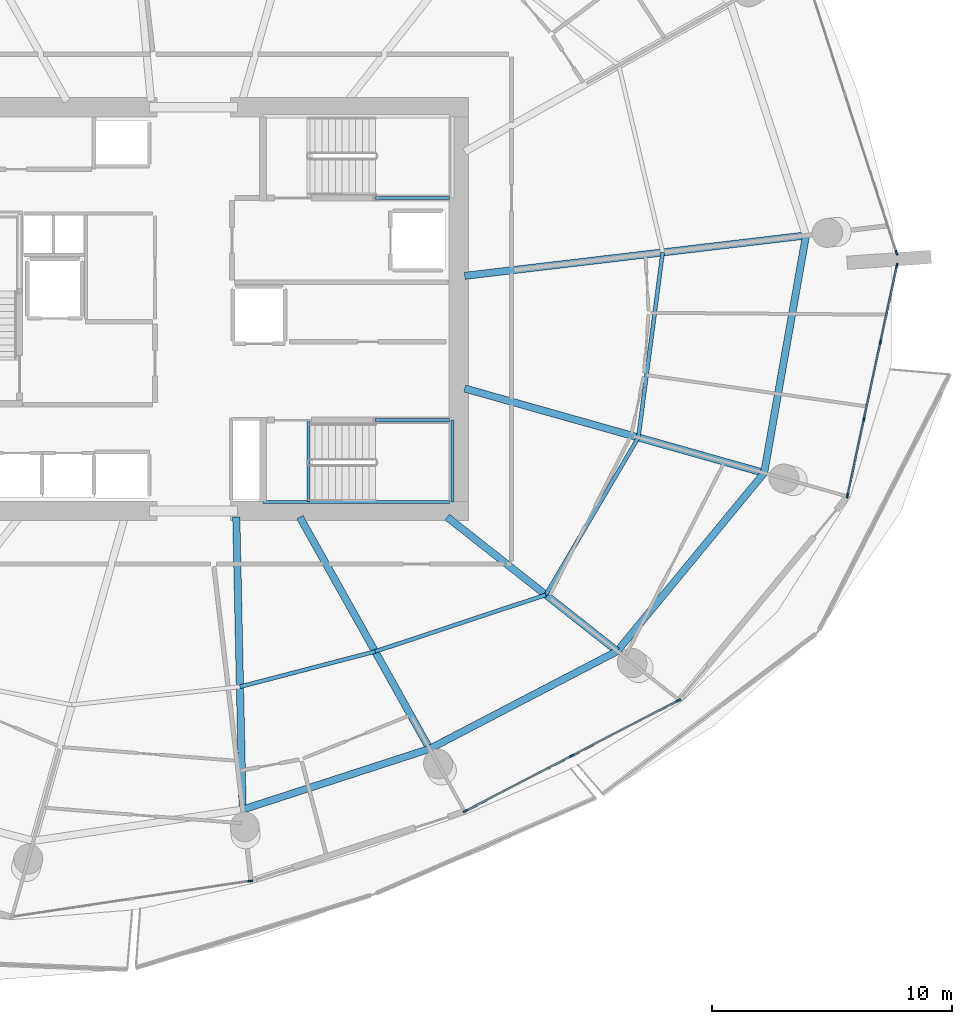
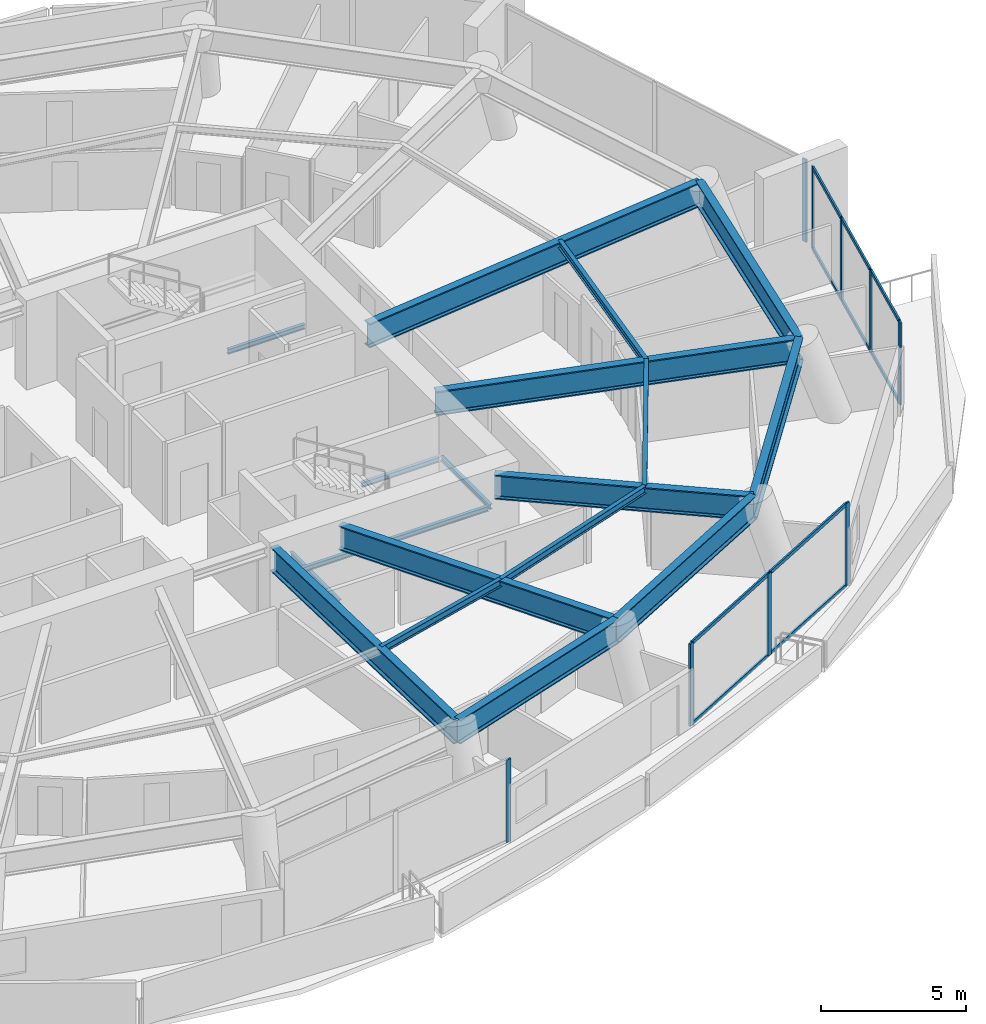
# One storey, part 7 of 23: 19 members, 18 beams, 4 elements without a shape of their own.
"""IFC4 building model written with IfcOpenShell, lengths in metres."""

from ifc_helpers import new_model, si_unit, direction, frame, origin, origin_2d, place, context, subcontext, project, spatial, rectangle, i_section, extrude, material, layer, layer_set, material_profile, profile_set, type_object, element, aggregate, save


model = new_model("IFC4")

# Units and contexts
model_context = context("Model", 3, precision=1e-05, world=origin(), true_north=direction((0.0, 1.0)))
body_context = subcontext(model_context, "Body", "Model", "MODEL_VIEW")
ifc_project = project(units=[si_unit("LENGTHUNIT", "METRE"), si_unit("AREAUNIT", "SQUARE_METRE"), si_unit("VOLUMEUNIT", "CUBIC_METRE"), si_unit("PLANEANGLEUNIT", "RADIAN"), si_unit("MASSUNIT", "GRAM", prefix="KILO")], contexts=[model_context])

# Site, building, storey
site_placement = place(None, origin())
site = spatial("IfcSite", under=ifc_project, at=site_placement, CompositionType="ELEMENT")
building_placement = place(site_placement, origin())
building = spatial("IfcBuilding", under=site, at=building_placement, Name="Kazma Halo Residences", CompositionType="ELEMENT")
storey_placement = place(building_placement, frame((0.0, 0.0, 112.64990234375)))
storey = spatial("IfcBuildingStorey", under=building, at=storey_placement, Name="L28", CompositionType="ELEMENT", Elevation=112.64990234375)

# Beams
ifc_material_1 = material(Name="Steel S355", Category="steel")
ifc_material_profile_1 = material_profile(ifc_material_1, i_section(OverallWidth=0.1650390625, OverallDepth=0.31005859375, WebThickness=0.005859375, FlangeThickness=0.009765625, FilletRadius=0.011962890625, at=origin_2d()), Name="W310x38.7")
ifc_profile_set_1 = profile_set([ifc_material_profile_1], Name="Steel S355")
beam_type_1 = type_object("IfcBeamType", Name="BM-SEC-W310B", PredefinedType="JOIST", material=ifc_profile_set_1)
beam_1_placement = place(storey_placement, frame((50.35302734375, 26.29345703125, 3.315185546875), z_axis=(0.967651177663, 0.252291891206, 0.0), x_axis=(-0.252291891206, 0.967651177663, 0.0)))
element("IfcBeam", 1, at=beam_1_placement, inside=storey, type_object=beam_type_1, Name="L28 circumferential floor joist 12", PredefinedType="JOIST", context=body_context, shape_type="SweptSolid", body=[
    extrude(i_section(OverallWidth=0.1650390625, OverallDepth=0.31005859375, WebThickness=0.005859375, FlangeThickness=0.009765625, FilletRadius=0.011962890625, at=origin_2d()), origin(), (0.0, 0.0, 1.0), 5.81005859375),
])
beam_2_placement = place(storey_placement, frame((55.97509765625, 27.75927734375, 3.315185546875), z_axis=(0.949077463311, 0.315042804448, 0.0), x_axis=(-0.315042804448, 0.949077463311, 0.0)))
element("IfcBeam", 2, at=beam_2_placement, inside=storey, type_object=beam_type_1, Name="L28 circumferential floor joist 13", PredefinedType="JOIST", context=body_context, shape_type="SweptSolid", body=[
    extrude(i_section(OverallWidth=0.1650390625, OverallDepth=0.31005859375, WebThickness=0.005859375, FlangeThickness=0.009765625, FilletRadius=0.011962890625, at=origin_2d()), origin(), (0.0, 0.0, 1.0), 7.48046875),
])
beam_3_placement = place(storey_placement, frame((63.07470703125, 30.115966796875, 3.315185546875), z_axis=(0.506850129909, 0.862034190628, 0.0), x_axis=(-0.862034190628, 0.506850129909, 0.0)))
element("IfcBeam", 3, at=beam_3_placement, inside=storey, type_object=beam_type_1, Name="L28 circumferential floor joist 14", PredefinedType="JOIST", context=body_context, shape_type="SweptSolid", body=[
    extrude(i_section(OverallWidth=0.1650390625, OverallDepth=0.31005859375, WebThickness=0.005859375, FlangeThickness=0.009765625, FilletRadius=0.011962890625, at=origin_2d()), origin(), (0.0, 0.0, 1.0), 7.5947265625),
])
beam_4_placement = place(storey_placement, frame((66.924072265625, 36.662841796875, 3.315185546875), z_axis=(0.130144534368, 0.991495032854, 0.0), x_axis=(-0.991495032854, 0.130144534368, 0.0)))
element("IfcBeam", 4, at=beam_4_placement, inside=storey, type_object=beam_type_1, Name="L28 circumferential floor joist 15", PredefinedType="JOIST", context=body_context, shape_type="SweptSolid", body=[
    extrude(i_section(OverallWidth=0.1650390625, OverallDepth=0.31005859375, WebThickness=0.005859375, FlangeThickness=0.009765625, FilletRadius=0.011962890625, at=origin_2d()), origin(), (0.0, 0.0, 1.0), 7.762451171875),
])
ifc_material_profile_2 = material_profile(ifc_material_1, i_section(OverallWidth=0.302001953125, OverallDepth=1.01806640625, WebThickness=0.021484375, FlangeThickness=0.049072265625, FilletRadius=0.028076171875, at=origin_2d()), Name="W1000x443")
ifc_profile_set_2 = profile_set([ifc_material_profile_2], Name="Steel S355")
beam_type_2 = type_object("IfcBeamType", Name="BM-TRANS-W1000A", PredefinedType="BEAM", material=ifc_profile_set_2)
beam_5_placement = place(storey_placement, frame((50.199951171875, 33.35009765625, 2.961181640625), z_axis=(0.021686480808, -0.99976482062, 0.0), x_axis=(0.99976482062, 0.021686480808, 0.0)))
element("IfcBeam", 5, at=beam_5_placement, inside=storey, type_object=beam_type_2, Name="L28 podium radial transfer girder 12", PredefinedType="BEAM", context=body_context, shape_type="SweptSolid", body=[
    extrude(i_section(OverallWidth=0.302001953125, OverallDepth=1.01806640625, WebThickness=0.021484375, FlangeThickness=0.049072265625, FilletRadius=0.028076171875, at=origin_2d()), origin(), (0.0, 0.0, 1.0), 12.169677734375),
])
beam_6_placement = place(storey_placement, frame((52.84423828125, 33.35009765625, 2.961181640625), z_axis=(0.488621537567, -0.872495841266, 0.0), x_axis=(0.872495841266, 0.488621537567, 0.0)))
element("IfcBeam", 6, at=beam_6_placement, inside=storey, type_object=beam_type_2, Name="L28 podium radial transfer girder 13", PredefinedType="BEAM", context=body_context, shape_type="SweptSolid", body=[
    extrude(i_section(OverallWidth=0.302001953125, OverallDepth=1.01806640625, WebThickness=0.021484375, FlangeThickness=0.049072265625, FilletRadius=0.028076171875, at=origin_2d()), origin(), (0.0, 0.0, 1.0), 11.0478515625),
])
beam_7_placement = place(storey_placement, frame((58.972412109375, 33.35009765625, 2.961181640625), z_axis=(0.78531554506, -0.619095707211, 0.0), x_axis=(0.619095707211, 0.78531554506, 0.0)))
element("IfcBeam", 7, at=beam_7_placement, inside=storey, type_object=beam_type_2, Name="L28 podium radial transfer girder 14", PredefinedType="BEAM", context=body_context, shape_type="SweptSolid", body=[
    extrude(i_section(OverallWidth=0.302001953125, OverallDepth=1.01806640625, WebThickness=0.021484375, FlangeThickness=0.049072265625, FilletRadius=0.028076171875, at=origin_2d()), origin(), (0.0, 0.0, 1.0), 9.006591796875),
])
beam_8_placement = place(storey_placement, frame((59.699951171875, 38.7001953125, 2.961181640625), z_axis=(0.962458016603, -0.271430592005, 0.0), x_axis=(0.271430592005, 0.962458016603, 0.0)))
element("IfcBeam", 8, at=beam_8_placement, inside=storey, type_object=beam_type_2, Name="L28 podium radial transfer girder 15", PredefinedType="BEAM", context=body_context, shape_type="SweptSolid", body=[
    extrude(i_section(OverallWidth=0.302001953125, OverallDepth=1.01806640625, WebThickness=0.021484375, FlangeThickness=0.049072265625, FilletRadius=0.028076171875, at=origin_2d()), origin(), (0.0, 0.0, 1.0), 12.94140625),
])
beam_9_placement = place(storey_placement, frame((59.699951171875, 43.384765625, 2.961181640625), z_axis=(0.993067944202, 0.117541729604, 0.0), x_axis=(-0.117541729604, 0.993067944202, 0.0)))
element("IfcBeam", 9, at=beam_9_placement, inside=storey, type_object=beam_type_2, Name="L28 podium radial transfer girder 16", PredefinedType="BEAM", context=body_context, shape_type="SweptSolid", body=[
    extrude(i_section(OverallWidth=0.302001953125, OverallDepth=1.01806640625, WebThickness=0.021484375, FlangeThickness=0.049072265625, FilletRadius=0.028076171875, at=origin_2d()), origin(), (0.0, 0.0, 1.0), 14.29638671875),
])
ifc_material_profile_3 = material_profile(ifc_material_1, i_section(OverallWidth=0.300048828125, OverallDepth=1.0, WebThickness=0.01904296875, FlangeThickness=0.0400390625, FilletRadius=0.02587890625, at=origin_2d()), Name="W1000x371")
ifc_profile_set_3 = profile_set([ifc_material_profile_3], Name="Steel S355")
beam_type_3 = type_object("IfcBeamType", Name="BM-TRANS-W1000B", PredefinedType="BEAM", material=ifc_profile_set_3)
beam_10_placement = place(storey_placement, frame((50.4638671875, 21.183349609375, 2.97021484375), z_axis=(0.951050080811, 0.309036800058, 0.0), x_axis=(-0.309036800058, 0.951050080811, 0.0)))
element("IfcBeam", 10, at=beam_10_placement, inside=storey, type_object=beam_type_3, Name="L28 perimeter ring beam 12", PredefinedType="BEAM", context=body_context, shape_type="SweptSolid", body=[
    extrude(i_section(OverallWidth=0.300048828125, OverallDepth=1.0, WebThickness=0.01904296875, FlangeThickness=0.0400390625, FilletRadius=0.02587890625, at=origin_2d()), origin(), (0.0, 0.0, 1.0), 8.178955078125),
])
beam_11_placement = place(storey_placement, frame((58.242431640625, 23.7109375, 2.97021484375), z_axis=(0.886952216375, 0.46186119762, 0.0), x_axis=(-0.46186119762, 0.886952216375, 0.0)))
element("IfcBeam", 11, at=beam_11_placement, inside=storey, type_object=beam_type_3, Name="L28 perimeter ring beam 13", PredefinedType="BEAM", context=body_context, shape_type="SweptSolid", body=[
    extrude(i_section(OverallWidth=0.300048828125, OverallDepth=1.0, WebThickness=0.01904296875, FlangeThickness=0.0400390625, FilletRadius=0.02587890625, at=origin_2d()), origin(), (0.0, 0.0, 1.0), 8.797607421875),
])
beam_12_placement = place(storey_placement, frame((66.04541015625, 27.774169921875, 2.97021484375), z_axis=(0.636018081662, 0.771674153901, 0.0), x_axis=(-0.771674153901, 0.636018081662, 0.0)))
element("IfcBeam", 12, at=beam_12_placement, inside=storey, type_object=beam_type_3, Name="L28 perimeter ring beam 14", PredefinedType="BEAM", context=body_context, shape_type="SweptSolid", body=[
    extrude(i_section(OverallWidth=0.300048828125, OverallDepth=1.0, WebThickness=0.01904296875, FlangeThickness=0.0400390625, FilletRadius=0.02587890625, at=origin_2d()), origin(), (0.0, 0.0, 1.0), 9.60693359375),
])
beam_13_placement = place(storey_placement, frame((72.155517578125, 35.1875, 2.97021484375), z_axis=(0.1736478634, 0.984807808426, 0.0), x_axis=(-0.984807808426, 0.1736478634, 0.0)))
element("IfcBeam", 13, at=beam_13_placement, inside=storey, type_object=beam_type_3, Name="L28 perimeter ring beam 15", PredefinedType="BEAM", context=body_context, shape_type="SweptSolid", body=[
    extrude(i_section(OverallWidth=0.300048828125, OverallDepth=1.0, WebThickness=0.01904296875, FlangeThickness=0.0400390625, FilletRadius=0.02587890625, at=origin_2d()), origin(), (0.0, 0.0, 1.0), 10.030029296875),
])
ifc_material_profile_4 = material_profile(ifc_material_1, i_section(OverallWidth=0.133056640625, OverallDepth=0.20703125, WebThickness=0.005859375, FlangeThickness=0.00830078125, FilletRadius=0.010009765625, at=origin_2d()), Name="W200x26.6")
ifc_profile_set_4 = profile_set([ifc_material_profile_4], Name="Steel S355")
beam_type_4 = type_object("IfcBeamType", Name="BM-TRIM-W200", PredefinedType="BEAM", material=ifc_profile_set_4)
beam_14_placement = place(storey_placement, frame((53.199951171875, 34.0, -0.35986328125), z_axis=(0.0, 1.0, 0.0), x_axis=(-1.0, 0.0, 0.0)))
element("IfcBeam", 14, at=beam_14_placement, inside=storey, type_object=beam_type_4, Name="L28 ST-03 floor landing support beam", PredefinedType="BEAM", context=body_context, shape_type="SweptSolid", body=[
    extrude(i_section(OverallWidth=0.133056640625, OverallDepth=0.20703125, WebThickness=0.005859375, FlangeThickness=0.00830078125, FilletRadius=0.010009765625, at=origin_2d()), origin(), (0.0, 0.0, 1.0), 3.3798828125),
])
beam_15_placement = place(storey_placement, frame((56.0, 46.6201171875, 1.570068359375), z_axis=(1.0, 0.0, 0.0), x_axis=(0.0, 1.0, 0.0)))
element("IfcBeam", 15, at=beam_15_placement, inside=storey, type_object=beam_type_4, Name="L28 ST-02 landing south wall ledger", PredefinedType="BEAM", context=body_context, shape_type="SweptSolid", body=[
    extrude(i_section(OverallWidth=0.133056640625, OverallDepth=0.20703125, WebThickness=0.005859375, FlangeThickness=0.00830078125, FilletRadius=0.010009765625, at=origin_2d()), origin(), (0.0, 0.0, 1.0), 3.070068359375),
])
beam_16_placement = place(storey_placement, frame((51.31005859375, 33.97998046875, 1.570068359375), z_axis=(1.0, 0.0, 0.0), x_axis=(0.0, 1.0, 0.0)))
element("IfcBeam", 16, at=beam_16_placement, inside=storey, type_object=beam_type_4, Name="L28 ST-03 landing south wall ledger", PredefinedType="BEAM", context=body_context, shape_type="SweptSolid", body=[
    extrude(i_section(OverallWidth=0.133056640625, OverallDepth=0.20703125, WebThickness=0.005859375, FlangeThickness=0.00830078125, FilletRadius=0.010009765625, at=origin_2d()), origin(), (0.0, 0.0, 1.0), 7.760009765625),
])
beam_17_placement = place(storey_placement, frame((56.0, 37.3798828125, 1.570068359375), z_axis=(1.0, 0.0, 0.0), x_axis=(0.0, 1.0, 0.0)))
element("IfcBeam", 17, at=beam_17_placement, inside=storey, type_object=beam_type_4, Name="L28 ST-03 landing north wall ledger", PredefinedType="BEAM", context=body_context, shape_type="SweptSolid", body=[
    extrude(i_section(OverallWidth=0.133056640625, OverallDepth=0.20703125, WebThickness=0.005859375, FlangeThickness=0.00830078125, FilletRadius=0.010009765625, at=origin_2d()), origin(), (0.0, 0.0, 1.0), 3.070068359375),
])
beam_18_placement = place(storey_placement, frame((59.18994140625, 33.97998046875, 1.570068359375), z_axis=(0.0, 1.0, 0.0), x_axis=(-1.0, 0.0, 0.0)))
element("IfcBeam", 18, at=beam_18_placement, inside=storey, type_object=beam_type_4, Name="L28 ST-03 landing end wall ledger", PredefinedType="BEAM", context=body_context, shape_type="SweptSolid", body=[
    extrude(i_section(OverallWidth=0.133056640625, OverallDepth=0.20703125, WebThickness=0.005859375, FlangeThickness=0.00830078125, FilletRadius=0.010009765625, at=origin_2d()), origin(), (0.0, 0.0, 1.0), 3.39990234375),
])

# Curtain wall, member
ifc_material_2 = material(Name="Aluminium AW-6063 T6 and Triple-Silver Low-E Glass", Category="aluminium")
ifc_layer = layer(ifc_material_2, 0.199951171875)
ifc_layer_set = layer_set([ifc_layer], Name="Aluminium AW-6063 T6 and Triple-Silver Low-E Glass")
curtain_wall_type = type_object("IfcCurtainWallType", Name="CW-SYS-3", PredefinedType="NOTDEFINED", material=ifc_layer_set)
curtain_wall_1_placement = place(storey_placement, origin())
curtain_wall_1 = element("IfcCurtainWall", 19, at=curtain_wall_1_placement, inside=storey, type_object=curtain_wall_type, Name="L28 unitised curtain wall B11", PredefinedType="NOTDEFINED")
ifc_material_3 = material(Name="Aluminium AW-6063 T6", Category="aluminium")
ifc_material_profile_5 = material_profile(ifc_material_3, rectangle(XDim=0.070068359375, YDim=0.199951171875, at=origin_2d()), Name="CWM-70x200")
ifc_profile_set_5 = profile_set([ifc_material_profile_5], Name="Aluminium AW-6063 T6")
member_type_1 = type_object("IfcMemberType", Name="CW-SYS-3-MUL", PredefinedType="MULLION", material=ifc_profile_set_5)
member_1_placement = place(storey_placement, frame((50.780029296875, 18.21337890625, 0.0), z_axis=(0.0, 0.0, 1.0), x_axis=(-0.148717330409, 0.988879747814, 0.0)))
member_1 = element("IfcMember", 20, at=member_1_placement, type_object=member_type_1, Name="CWS-3 mullion 3", PredefinedType="MULLION", context=body_context, shape_type="SweptSolid", body=[
    extrude(rectangle(XDim=0.070068359375, YDim=0.199951171875, at=origin_2d()), origin(), (0.0, 0.0, 1.0), 3.47021484375),
])
aggregate(curtain_wall_1, [member_1])

# Curtain wall, members
curtain_wall_2_placement = place(storey_placement, origin())
curtain_wall_2 = element("IfcCurtainWall", 21, at=curtain_wall_2_placement, inside=storey, type_object=curtain_wall_type, Name="L28 unitised curtain wall B13", PredefinedType="NOTDEFINED")
member_2_placement = place(storey_placement, frame((59.732177734375, 21.1220703125, 0.0), z_axis=(0.0, 0.0, 1.0), x_axis=(-0.460932159481, 0.887435374749, 0.0)))
member_2 = element("IfcMember", 22, at=member_2_placement, type_object=member_type_1, Name="CWS-3 mullion 1", PredefinedType="MULLION", context=body_context, shape_type="SweptSolid", body=[
    extrude(rectangle(XDim=0.070068359375, YDim=0.199951171875, at=origin_2d()), origin(), (0.0, 0.0, 1.0), 3.47021484375),
])
member_3_placement = place(storey_placement, frame((64.1630859375, 23.42333984375, 0.0), z_axis=(0.0, 0.0, 1.0), x_axis=(-0.460932159481, 0.887435374749, 0.0)))
member_3 = element("IfcMember", 23, at=member_3_placement, type_object=member_type_1, Name="CWS-3 mullion 2", PredefinedType="MULLION", context=body_context, shape_type="SweptSolid", body=[
    extrude(rectangle(XDim=0.070068359375, YDim=0.199951171875, at=origin_2d()), origin(), (0.0, 0.0, 1.0), 3.47021484375),
])
member_4_placement = place(storey_placement, frame((68.59375, 25.724609375, 0.0), z_axis=(0.0, 0.0, 1.0), x_axis=(-0.460932159481, 0.887435374749, 0.0)))
member_4 = element("IfcMember", 24, at=member_4_placement, type_object=member_type_1, Name="CWS-3 mullion 3", PredefinedType="MULLION", context=body_context, shape_type="SweptSolid", body=[
    extrude(rectangle(XDim=0.070068359375, YDim=0.199951171875, at=origin_2d()), origin(), (0.0, 0.0, 1.0), 3.47021484375),
])

curtain_wall_3_placement = place(storey_placement, origin())
curtain_wall_3 = element("IfcCurtainWall", 25, at=curtain_wall_3_placement, inside=storey, type_object=curtain_wall_type, Name="L28 unitised curtain wall B15", PredefinedType="NOTDEFINED")
member_5_placement = place(storey_placement, frame((75.6259765625, 34.244873046875, 0.0), z_axis=(0.0, 0.0, 1.0), x_axis=(-0.977774176093, 0.209660822677, 0.0)))
member_5 = element("IfcMember", 26, at=member_5_placement, type_object=member_type_1, Name="CWS-3 mullion 1", PredefinedType="MULLION", context=body_context, shape_type="SweptSolid", body=[
    extrude(rectangle(XDim=0.070068359375, YDim=0.199951171875, at=origin_2d()), origin(), (0.0, 0.0, 1.0), 3.47021484375),
])
member_6_placement = place(storey_placement, frame((76.30712890625, 37.4208984375, 0.0), z_axis=(0.0, 0.0, 1.0), x_axis=(-0.977774176093, 0.209660822677, 0.0)))
member_6 = element("IfcMember", 27, at=member_6_placement, type_object=member_type_1, Name="CWS-3 mullion 2", PredefinedType="MULLION", context=body_context, shape_type="SweptSolid", body=[
    extrude(rectangle(XDim=0.070068359375, YDim=0.199951171875, at=origin_2d()), origin(), (0.0, 0.0, 1.0), 3.47021484375),
])
member_7_placement = place(storey_placement, frame((76.995361328125, 40.63134765625, 0.0), z_axis=(0.0, 0.0, 1.0), x_axis=(-0.977774176093, 0.209660822677, 0.0)))
member_7 = element("IfcMember", 28, at=member_7_placement, type_object=member_type_1, Name="CWS-3 mullion 3", PredefinedType="MULLION", context=body_context, shape_type="SweptSolid", body=[
    extrude(rectangle(XDim=0.070068359375, YDim=0.199951171875, at=origin_2d()), origin(), (0.0, 0.0, 1.0), 3.47021484375),
])
member_8_placement = place(storey_placement, frame((77.676513671875, 43.807373046875, 0.0), z_axis=(0.0, 0.0, 1.0), x_axis=(-0.977774176093, 0.209660822677, 0.0)))
member_8 = element("IfcMember", 29, at=member_8_placement, type_object=member_type_1, Name="CWS-3 mullion 4", PredefinedType="MULLION", context=body_context, shape_type="SweptSolid", body=[
    extrude(rectangle(XDim=0.070068359375, YDim=0.199951171875, at=origin_2d()), origin(), (0.0, 0.0, 1.0), 3.47021484375),
])

# Curtain wall, member
curtain_wall_4_placement = place(storey_placement, origin())
curtain_wall_4 = element("IfcCurtainWall", 30, at=curtain_wall_4_placement, inside=storey, type_object=curtain_wall_type, Name="L28 unitised curtain wall B16", PredefinedType="NOTDEFINED")
member_9_placement = place(storey_placement, frame((77.665283203125, 44.3427734375, 0.0), z_axis=(0.0, 0.0, 1.0), x_axis=(-0.951057722508, -0.309013282008, 0.0)))
member_9 = element("IfcMember", 31, at=member_9_placement, type_object=member_type_1, Name="CWS-3 mullion 1", PredefinedType="MULLION", context=body_context, shape_type="SweptSolid", body=[
    extrude(rectangle(XDim=0.070068359375, YDim=0.199951171875, at=origin_2d()), origin(), (0.0, 0.0, 1.0), 3.47021484375),
])
aggregate(curtain_wall_4, [member_9])

# Member
ifc_material_profile_6 = material_profile(ifc_material_3, rectangle(XDim=0.070068359375, YDim=0.14990234375, at=origin_2d()), Name="CWT-70x150")
ifc_profile_set_6 = profile_set([ifc_material_profile_6], Name="Aluminium AW-6063 T6")
member_type_2 = type_object("IfcMemberType", Name="CW-SYS-3-TRN", PredefinedType="USERDEFINED", material=ifc_profile_set_6)
member_10_placement = place(storey_placement, frame((59.763427734375, 21.13818359375, 0.03515625), z_axis=(0.887427024944, 0.460948235054, 0.0), x_axis=(-0.460948235054, 0.887427024944, 0.0)))
member_10 = element("IfcMember", 32, at=member_10_placement, type_object=member_type_2, Name="CWS-3 transom 1.1", ObjectType="TRANSOM", PredefinedType="USERDEFINED", context=body_context, shape_type="SweptSolid", body=[
    extrude(rectangle(XDim=0.070068359375, YDim=0.14990234375, at=origin_2d()), origin(), (0.0, 0.0, 1.0), 4.922607421875),
])

member_11_placement = place(storey_placement, frame((59.763427734375, 21.13818359375, 3.43505859375), z_axis=(0.887427024944, 0.460948235054, 0.0), x_axis=(-0.460948235054, 0.887427024944, 0.0)))
member_11 = element("IfcMember", 33, at=member_11_placement, type_object=member_type_2, Name="CWS-3 transom 1.2", ObjectType="TRANSOM", PredefinedType="USERDEFINED", context=body_context, shape_type="SweptSolid", body=[
    extrude(rectangle(XDim=0.070068359375, YDim=0.14990234375, at=origin_2d()), origin(), (0.0, 0.0, 1.0), 4.922607421875),
])

member_12_placement = place(storey_placement, frame((64.194091796875, 23.439453125, 0.03515625), z_axis=(0.887437562141, 0.460927948058, 0.0), x_axis=(-0.460927948058, 0.887437562141, 0.0)))
member_12 = element("IfcMember", 34, at=member_12_placement, type_object=member_type_2, Name="CWS-3 transom 2.1", ObjectType="TRANSOM", PredefinedType="USERDEFINED", context=body_context, shape_type="SweptSolid", body=[
    extrude(rectangle(XDim=0.070068359375, YDim=0.14990234375, at=origin_2d()), origin(), (0.0, 0.0, 1.0), 4.9228515625),
])

member_13_placement = place(storey_placement, frame((64.194091796875, 23.439453125, 3.43505859375), z_axis=(0.887437562141, 0.460927948058, 0.0), x_axis=(-0.460927948058, 0.887437562141, 0.0)))
member_13 = element("IfcMember", 35, at=member_13_placement, type_object=member_type_2, Name="CWS-3 transom 2.2", ObjectType="TRANSOM", PredefinedType="USERDEFINED", context=body_context, shape_type="SweptSolid", body=[
    extrude(rectangle(XDim=0.070068359375, YDim=0.14990234375, at=origin_2d()), origin(), (0.0, 0.0, 1.0), 4.9228515625),
])

aggregate(curtain_wall_2, [member_2, member_3, member_4, member_10, member_11, member_12, member_13])

member_14_placement = place(storey_placement, frame((75.63330078125, 34.279052734375, 0.03515625), z_axis=(0.209702197956, 0.977765303216, 0.0), x_axis=(-0.977765303216, 0.209702197956, 0.0)))
member_14 = element("IfcMember", 36, at=member_14_placement, type_object=member_type_2, Name="CWS-3 transom 1.1", ObjectType="TRANSOM", PredefinedType="USERDEFINED", context=body_context, shape_type="SweptSolid", body=[
    extrude(rectangle(XDim=0.070068359375, YDim=0.14990234375, at=origin_2d()), origin(), (0.0, 0.0, 1.0), 3.17822265625),
])

member_15_placement = place(storey_placement, frame((75.63330078125, 34.279052734375, 3.43505859375), z_axis=(0.209702197956, 0.977765303216, 0.0), x_axis=(-0.977765303216, 0.209702197956, 0.0)))
member_15 = element("IfcMember", 37, at=member_15_placement, type_object=member_type_2, Name="CWS-3 transom 1.2", ObjectType="TRANSOM", PredefinedType="USERDEFINED", context=body_context, shape_type="SweptSolid", body=[
    extrude(rectangle(XDim=0.070068359375, YDim=0.14990234375, at=origin_2d()), origin(), (0.0, 0.0, 1.0), 3.17822265625),
])

member_16_placement = place(storey_placement, frame((76.314453125, 37.455078125, 0.03515625), z_axis=(0.209627675811, 0.977781283076, 0.0), x_axis=(-0.977781283076, 0.209627675811, 0.0)))
member_16 = element("IfcMember", 38, at=member_16_placement, type_object=member_type_2, Name="CWS-3 transom 2.1", ObjectType="TRANSOM", PredefinedType="USERDEFINED", context=body_context, shape_type="SweptSolid", body=[
    extrude(rectangle(XDim=0.070068359375, YDim=0.14990234375, at=origin_2d()), origin(), (0.0, 0.0, 1.0), 3.213134765625),
])

member_17_placement = place(storey_placement, frame((76.314453125, 37.455078125, 3.43505859375), z_axis=(0.209627675811, 0.977781283076, 0.0), x_axis=(-0.977781283076, 0.209627675811, 0.0)))
member_17 = element("IfcMember", 39, at=member_17_placement, type_object=member_type_2, Name="CWS-3 transom 2.2", ObjectType="TRANSOM", PredefinedType="USERDEFINED", context=body_context, shape_type="SweptSolid", body=[
    extrude(rectangle(XDim=0.070068359375, YDim=0.14990234375, at=origin_2d()), origin(), (0.0, 0.0, 1.0), 3.213134765625),
])

member_18_placement = place(storey_placement, frame((77.002685546875, 40.66552734375, 0.03515625), z_axis=(0.209717949017, 0.977761924939, 0.0), x_axis=(-0.977761924939, 0.209717949017, 0.0)))
member_18 = element("IfcMember", 40, at=member_18_placement, type_object=member_type_2, Name="CWS-3 transom 3.1", ObjectType="TRANSOM", PredefinedType="USERDEFINED", context=body_context, shape_type="SweptSolid", body=[
    extrude(rectangle(XDim=0.070068359375, YDim=0.14990234375, at=origin_2d()), origin(), (0.0, 0.0, 1.0), 3.177978515625),
])

member_19_placement = place(storey_placement, frame((77.002685546875, 40.66552734375, 3.43505859375), z_axis=(0.209717949017, 0.977761924939, 0.0), x_axis=(-0.977761924939, 0.209717949017, 0.0)))
member_19 = element("IfcMember", 41, at=member_19_placement, type_object=member_type_2, Name="CWS-3 transom 3.2", ObjectType="TRANSOM", PredefinedType="USERDEFINED", context=body_context, shape_type="SweptSolid", body=[
    extrude(rectangle(XDim=0.070068359375, YDim=0.14990234375, at=origin_2d()), origin(), (0.0, 0.0, 1.0), 3.177978515625),
])

aggregate(curtain_wall_3, [member_5, member_6, member_7, member_8, member_14, member_15, member_16, member_17, member_18, member_19])

save(model, "model.ifc")
